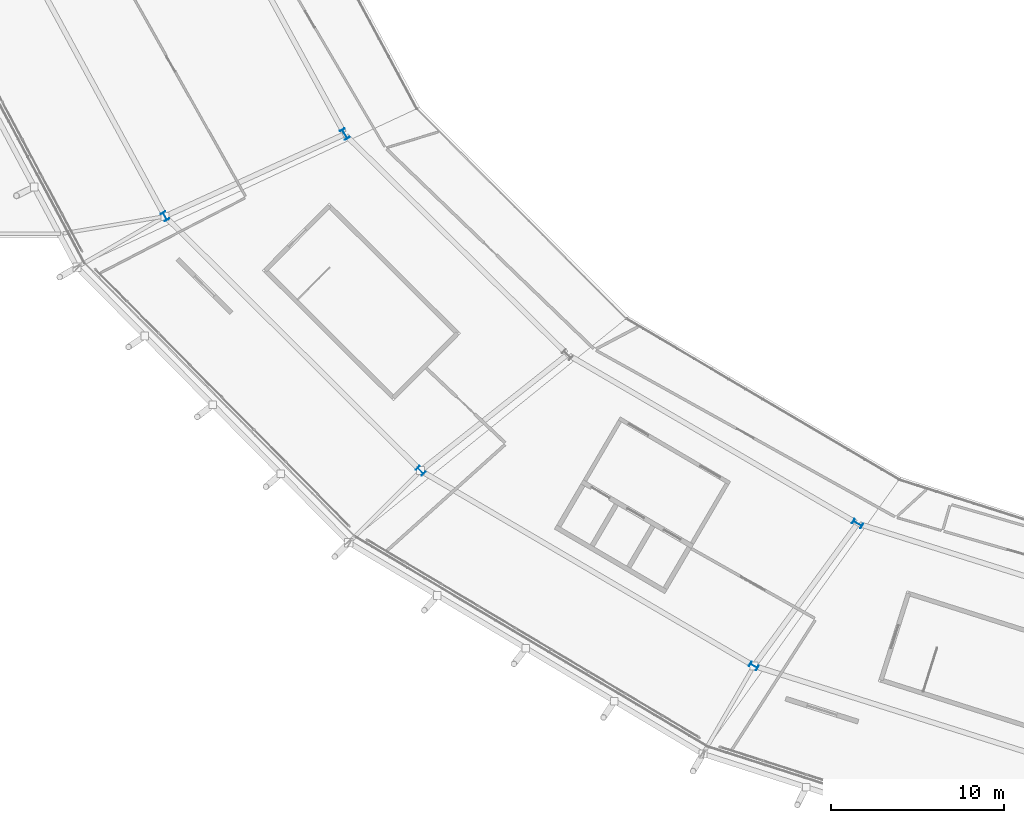
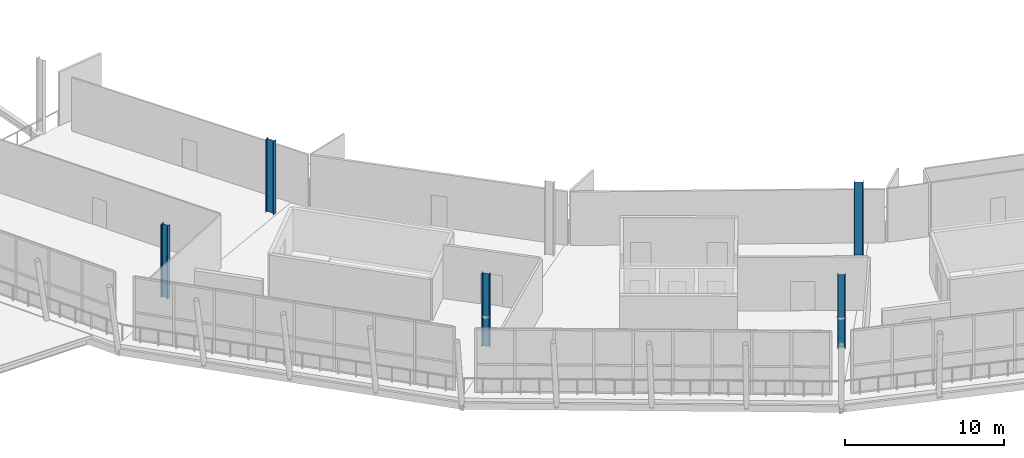
# One storey, part 1 of 99: 5 columns.
"""IFC4 building model written with IfcOpenShell, lengths in metres."""

from ifc_helpers import new_model, si_unit, direction, frame, origin, origin_2d, place, context, subcontext, project, spatial, i_section, extrude, material, material_profile, profile_set, type_object, element, save


model = new_model("IFC4")

# Units and contexts
model_context = context("Model", 3, precision=1e-05, world=origin(), true_north=direction((0.0, 1.0)))
body_context = subcontext(model_context, "Body", "Model", "MODEL_VIEW")
ifc_project = project(units=[si_unit("LENGTHUNIT", "METRE"), si_unit("AREAUNIT", "SQUARE_METRE"), si_unit("VOLUMEUNIT", "CUBIC_METRE"), si_unit("PLANEANGLEUNIT", "RADIAN"), si_unit("MASSUNIT", "GRAM", prefix="KILO")], contexts=[model_context])

# Site, building, storey
site_placement = place(None, origin())
site = spatial("IfcSite", under=ifc_project, at=site_placement, CompositionType="ELEMENT")
building_placement = place(site_placement, origin())
building = spatial("IfcBuilding", under=site, at=building_placement, Name="Zlatoyarsky Gate Stadium", CompositionType="ELEMENT")
storey_placement = place(building_placement, frame((0.0, 0.0, 26.199951171875)))
storey = spatial("IfcBuildingStorey", under=building, at=storey_placement, Name="L05", CompositionType="ELEMENT", Elevation=26.199951171875)

# Columns
ifc_material = material(Name="Steel S355", Category="steel")
ifc_material_profile_1 = material_profile(ifc_material, i_section(OverallWidth=0.300048828125, OverallDepth=0.5, WebThickness=0.014404296875, FlangeThickness=0.028076171875, FilletRadius=0.027099609375, at=origin_2d()), Name="HEB 500")
ifc_profile_set_1 = profile_set([ifc_material_profile_1], Name="Steel S355")
column_type_1 = type_object("IfcColumnType", Name="STEEL COLUMN HEB 500", PredefinedType="COLUMN", material=ifc_profile_set_1)
for number, where, z_axis, x_axis, name in (
    (1, (30.459716796875, 44.5, 0.0), (0.0, 0.0, 1.0), (-0.866025403784, -0.5, 0.0), "Column ST-C500 RC-14 on L05"),
    (2, (45.239013671875, 29.79541015625, 0.0), (0.0, 0.0, 1.0), (-0.707106781187, -0.707106781187, 0.0), "Column ST-C500 RC-15 on L05"),
    (3, (64.5, 18.51220703125, 0.0), (0.0, 0.0, 1.0), (-0.5, -0.866025403784, 0.0), "Column ST-C500 RC-16 on L05"),
):
    element("IfcColumn", number, at=place(storey_placement, frame(where, z_axis=z_axis, x_axis=x_axis)), inside=storey, type_object=column_type_1, Name=name, PredefinedType="COLUMN", context=body_context, shape_type="SweptSolid", body=[
        extrude(i_section(OverallWidth=0.300048828125, OverallDepth=0.5, WebThickness=0.014404296875, FlangeThickness=0.028076171875, FilletRadius=0.027099609375, at=origin_2d()), origin(), (0.0, 0.0, 1.0), 5.60009765625),
    ])
ifc_material_profile_2 = material_profile(ifc_material, i_section(OverallWidth=0.300048828125, OverallDepth=0.60009765625, WebThickness=0.015380859375, FlangeThickness=0.030029296875, FilletRadius=0.027099609375, at=origin_2d()), Name="HEB 600")
ifc_profile_set_2 = profile_set([ifc_material_profile_2], Name="Steel S355")
column_type_2 = type_object("IfcColumnType", Name="STEEL COLUMN HEB 600", PredefinedType="COLUMN", material=ifc_profile_set_2)
for number, where, z_axis, x_axis, name in (
    (4, (40.851806640625, 49.25, 0.0), (0.0, 0.0, 1.0), (-0.866025403784, -0.5, 0.0), "Column ST-C600 RB-14 on L05"),
    (5, (70.5, 26.739501953125, 0.0), (0.0, 0.0, 1.0), (-0.5, -0.866025403784, 0.0), "Column ST-C600 RB-16 on L05"),
):
    element("IfcColumn", number, at=place(storey_placement, frame(where, z_axis=z_axis, x_axis=x_axis)), inside=storey, type_object=column_type_2, Name=name, PredefinedType="COLUMN", context=body_context, shape_type="SweptSolid", body=[
        extrude(i_section(OverallWidth=0.300048828125, OverallDepth=0.60009765625, WebThickness=0.015380859375, FlangeThickness=0.030029296875, FilletRadius=0.027099609375, at=origin_2d()), origin(), (0.0, 0.0, 1.0), 5.60009765625),
    ])

save(model, "model.ifc")
